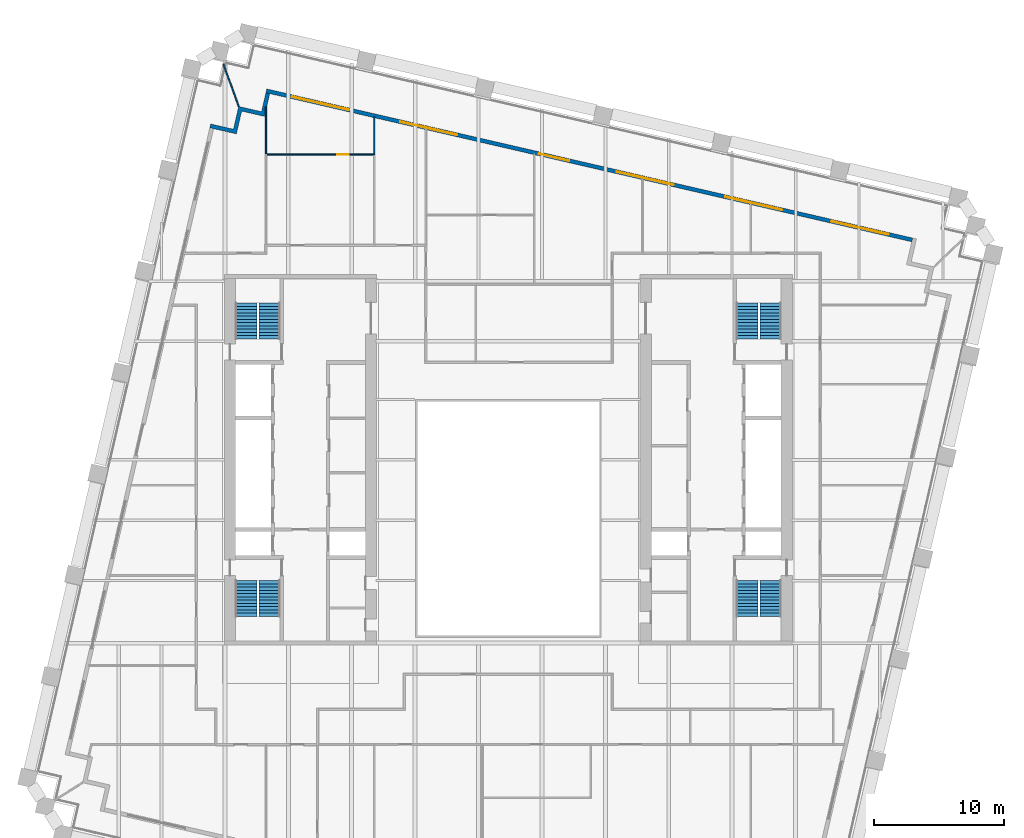
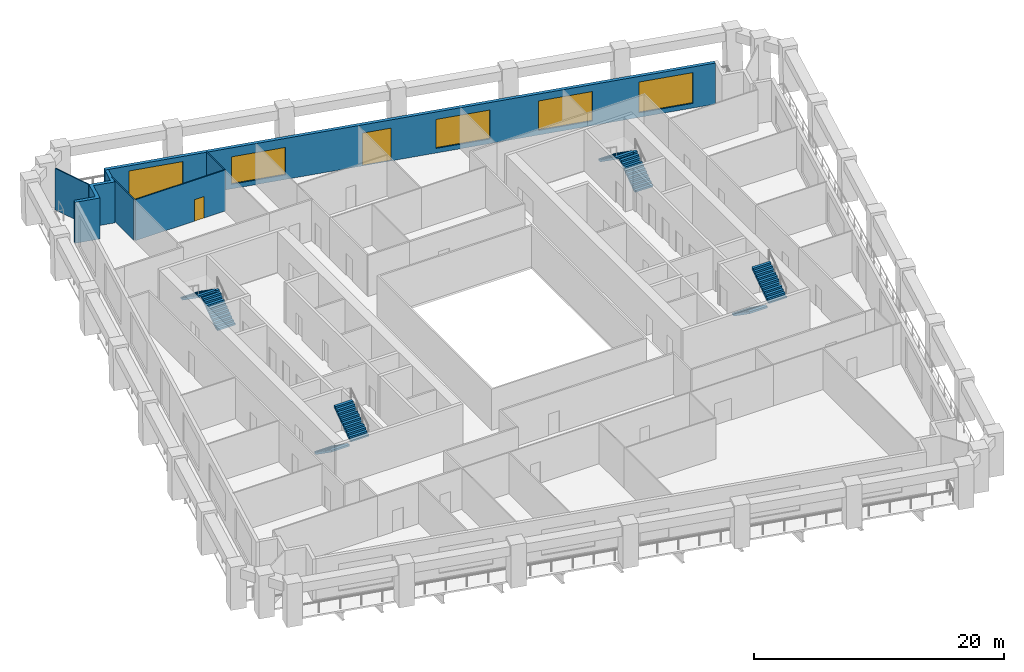
# One storey, part 8 of 10: 8 stair flights, 6 walls, 5 windows, 2 doors, 7 openings, 4 elements without a shape of their own.
"""IFC4 building model written with IfcOpenShell, lengths in metres."""

from ifc_helpers import new_model, si_unit, direction, frame, frame_2d, origin, place, context, subcontext, project, spatial, polyline, rectangle, outline, extrude, material, layer, layer_set, type_object, element, fill, aggregate, save


model = new_model("IFC4")

# Units and contexts
model_context = context("Model", 3, precision=1e-05, world=origin(), true_north=direction((0.0, 1.0)))
body_context = subcontext(model_context, "Body", "Model", "MODEL_VIEW")
ifc_project = project(units=[si_unit("LENGTHUNIT", "METRE"), si_unit("AREAUNIT", "SQUARE_METRE"), si_unit("VOLUMEUNIT", "CUBIC_METRE"), si_unit("PLANEANGLEUNIT", "RADIAN"), si_unit("MASSUNIT", "GRAM", prefix="KILO")], contexts=[model_context])

# Site, building, storey
site_placement = place(None, origin())
site = spatial("IfcSite", under=ifc_project, at=site_placement, CompositionType="ELEMENT")
building_placement = place(site_placement, origin())
building = spatial("IfcBuilding", under=site, at=building_placement, Name="Ogive Exchange Tower", CompositionType="ELEMENT")
storey_placement = place(building_placement, frame((0.0, 0.0, 114.0)))
storey = spatial("IfcBuildingStorey", under=building, at=storey_placement, Name="L24", CompositionType="ELEMENT", Elevation=114.0)

# Wall, openings, door, windows
ifc_material_1 = material(Name="Precast concrete C40/50", Category="concrete")
ifc_layer_1 = layer(ifc_material_1, 0.300048828125)
ifc_layer_set_1 = layer_set([ifc_layer_1], Name="Limestone-faced wall 300")
wall_type_1 = type_object("IfcWallType", Name="Limestone-faced wall 300", PredefinedType="STANDARD", material=ifc_layer_set_1)
wall_1_placement = place(storey_placement, frame((31.07763671875, 28.4208984375, 0.0), z_axis=(0.0, 0.0, 1.0), x_axis=(-0.974370456532, 0.224949357493, 0.0)))
wall_1 = element("IfcWall", 1, at=wall_1_placement, inside=storey, type_object=wall_type_1, Name="External wall N3", PredefinedType="STANDARD", context=body_context, shape_type="SweptSolid", body=[
    extrude(rectangle(XDim=51.0, YDim=0.300048828125, at=frame_2d((25.5, 0.0))), origin(), (0.0, 0.0, 1.0), 4.0),
])
opening_1_placement = place(wall_1_placement, frame((1.875, 0.0, 0.449951171875)))
opening_1 = element("IfcOpeningElement", 2, at=opening_1_placement, cuts=wall_1, Name="Opening W1A", PredefinedType="OPENING", context=body_context, shape_type="SweptSolid", body=[
    extrude(rectangle(XDim=4.5, YDim=3.0, at=frame_2d((2.25, 1.5))), frame((0.0, 0.159912109375, 0.0), z_axis=(0.0, -1.0, 0.0), x_axis=(1.0, 0.0, 0.0)), (0.0, 0.0, 1.0), 0.320068359375),
])
opening_2_placement = place(wall_1_placement, frame((10.27490234375, 0.0, 0.449951171875)))
opening_2 = element("IfcOpeningElement", 3, at=opening_2_placement, cuts=wall_1, Name="Opening W1D", PredefinedType="OPENING", context=body_context, shape_type="SweptSolid", body=[
    extrude(rectangle(XDim=4.5, YDim=2.875, at=frame_2d((2.25, 1.4375))), frame((0.0, 0.159912109375, 0.0), z_axis=(0.0, -1.0, 0.0), x_axis=(1.0, 0.0, 0.0)), (0.0, 0.0, 1.0), 0.320068359375),
])
opening_3_placement = place(wall_1_placement, frame((18.824951171875, 0.0, 0.449951171875)))
opening_3 = element("IfcOpeningElement", 4, at=opening_3_placement, cuts=wall_1, Name="Opening W1E", PredefinedType="OPENING", context=body_context, shape_type="SweptSolid", body=[
    extrude(rectangle(XDim=4.5, YDim=2.824951171875, at=frame_2d((2.25, 1.41259765625))), frame((0.0, 0.159912109375, 0.0), z_axis=(0.0, -1.0, 0.0), x_axis=(1.0, 0.0, 0.0)), (0.0, 0.0, 1.0), 0.320068359375),
])
opening_4_placement = place(wall_1_placement, frame((27.074951171875, 0.0, 0.0)))
opening_4 = element("IfcOpeningElement", 5, at=opening_4_placement, cuts=wall_1, Name="Opening D1H", PredefinedType="OPENING", context=body_context, shape_type="SweptSolid", body=[
    extrude(rectangle(XDim=2.39990234375, YDim=3.199951171875, at=frame_2d((1.199951171875, 1.60009765625))), frame((0.0, 0.159912109375, 0.0), z_axis=(0.0, -1.0, 0.0), x_axis=(1.0, 0.0, 0.0)), (0.0, 0.0, 1.0), 0.320068359375),
])
opening_5_placement = place(wall_1_placement, frame((35.925048828125, 0.0, 0.449951171875)))
opening_5 = element("IfcOpeningElement", 6, at=opening_5_placement, cuts=wall_1, Name="Opening W1J", PredefinedType="OPENING", context=body_context, shape_type="SweptSolid", body=[
    extrude(rectangle(XDim=4.5, YDim=2.675048828125, at=frame_2d((2.25, 1.33740234375))), frame((0.0, 0.159912109375, 0.0), z_axis=(0.0, -1.0, 0.0), x_axis=(1.0, 0.0, 0.0)), (0.0, 0.0, 1.0), 0.320068359375),
])
opening_6_placement = place(wall_1_placement, frame((44.47509765625, 0.0, 0.449951171875)))
opening_6 = element("IfcOpeningElement", 7, at=opening_6_placement, cuts=wall_1, Name="Opening W1", PredefinedType="OPENING", context=body_context, shape_type="SweptSolid", body=[
    extrude(rectangle(XDim=4.5, YDim=3.050048828125, at=frame_2d((2.25, 1.52490234375))), frame((0.0, 0.159912109375, 0.0), z_axis=(0.0, -1.0, 0.0), x_axis=(1.0, 0.0, 0.0)), (0.0, 0.0, 1.0), 0.320068359375),
])
ifc_material_2 = material(Name="Clear glass in bronze frame", Category="glass")
door_type_1 = type_object("IfcDoorType", Name="Sliding loggia door 2400 x 3200", OperationType="DOUBLE_DOOR_SLIDING", PredefinedType="DOOR", material=ifc_material_2)
door_1_placement = place(opening_4_placement, origin())
door_1 = element("IfcDoor", 8, at=door_1_placement, inside=storey, type_object=door_type_1, Name="Loggia door N03", OperationType="DOUBLE_DOOR_SLIDING", OverallHeight=3.199951171875, OverallWidth=2.39990234375, PredefinedType="DOOR", context=body_context, shape_type="SweptSolid", body=[
    extrude(rectangle(XDim=2.39990234375, YDim=3.199951171875, at=frame_2d((1.199951171875, 1.60009765625))), frame((0.0, 0.02490234375, 0.0), z_axis=(0.0, -1.0, 0.0), x_axis=(1.0, 0.0, 0.0)), (0.0, 0.0, 1.0), 0.050048828125),
])
fill(opening_4, door_1)
window_type_1 = type_object("IfcWindowType", Name="Twin lancet window 4500 x 2675", PartitioningType="DOUBLE_PANEL_VERTICAL", PredefinedType="WINDOW", material=ifc_material_2)
window_1_placement = place(opening_5_placement, origin())
window_1 = element("IfcWindow", 9, at=window_1_placement, inside=storey, type_object=window_type_1, Name="Window N04", OverallHeight=2.675048828125, OverallWidth=4.5, PartitioningType="DOUBLE_PANEL_VERTICAL", PredefinedType="WINDOW", context=body_context, shape_type="SweptSolid", body=[
    extrude(rectangle(XDim=4.5, YDim=2.675048828125, at=frame_2d((2.25, 1.33740234375))), frame((0.0, 0.030029296875, 0.0), z_axis=(0.0, -1.0, 0.0), x_axis=(1.0, 0.0, 0.0)), (0.0, 0.0, 1.0), 0.06005859375),
])
fill(opening_5, window_1)
window_type_2 = type_object("IfcWindowType", Name="Twin lancet window 4500 x 2825", PartitioningType="DOUBLE_PANEL_VERTICAL", PredefinedType="WINDOW", material=ifc_material_2)
window_2_placement = place(opening_3_placement, origin())
window_2 = element("IfcWindow", 10, at=window_2_placement, inside=storey, type_object=window_type_2, Name="Window N02", OverallHeight=2.824951171875, OverallWidth=4.5, PartitioningType="DOUBLE_PANEL_VERTICAL", PredefinedType="WINDOW", context=body_context, shape_type="SweptSolid", body=[
    extrude(rectangle(XDim=4.5, YDim=2.824951171875, at=frame_2d((2.25, 1.41259765625))), frame((0.0, 0.030029296875, 0.0), z_axis=(0.0, -1.0, 0.0), x_axis=(1.0, 0.0, 0.0)), (0.0, 0.0, 1.0), 0.06005859375),
])
fill(opening_3, window_2)
window_type_3 = type_object("IfcWindowType", Name="Twin lancet window 4500 x 2875", PartitioningType="DOUBLE_PANEL_VERTICAL", PredefinedType="WINDOW", material=ifc_material_2)
window_3_placement = place(opening_2_placement, origin())
window_3 = element("IfcWindow", 11, at=window_3_placement, inside=storey, type_object=window_type_3, Name="Window N01", OverallHeight=2.875, OverallWidth=4.5, PartitioningType="DOUBLE_PANEL_VERTICAL", PredefinedType="WINDOW", context=body_context, shape_type="SweptSolid", body=[
    extrude(rectangle(XDim=4.5, YDim=2.875, at=frame_2d((2.25, 1.4375))), frame((0.0, 0.030029296875, 0.0), z_axis=(0.0, -1.0, 0.0), x_axis=(1.0, 0.0, 0.0)), (0.0, 0.0, 1.0), 0.06005859375),
])
fill(opening_2, window_3)
window_type_4 = type_object("IfcWindowType", Name="Twin lancet window 4500 x 3000", PartitioningType="DOUBLE_PANEL_VERTICAL", PredefinedType="WINDOW", material=ifc_material_2)
window_4_placement = place(opening_1_placement, origin())
window_4 = element("IfcWindow", 12, at=window_4_placement, inside=storey, type_object=window_type_4, Name="Window N00", OverallHeight=3.0, OverallWidth=4.5, PartitioningType="DOUBLE_PANEL_VERTICAL", PredefinedType="WINDOW", context=body_context, shape_type="SweptSolid", body=[
    extrude(rectangle(XDim=4.5, YDim=3.0, at=frame_2d((2.25, 1.5))), frame((0.0, 0.030029296875, 0.0), z_axis=(0.0, -1.0, 0.0), x_axis=(1.0, 0.0, 0.0)), (0.0, 0.0, 1.0), 0.06005859375),
])
fill(opening_1, window_4)
window_type_5 = type_object("IfcWindowType", Name="Twin lancet window 4500 x 3050", PartitioningType="DOUBLE_PANEL_VERTICAL", PredefinedType="WINDOW", material=ifc_material_2)
window_5_placement = place(opening_6_placement, origin())
window_5 = element("IfcWindow", 13, at=window_5_placement, inside=storey, type_object=window_type_5, Name="Window N05", OverallHeight=3.050048828125, OverallWidth=4.5, PartitioningType="DOUBLE_PANEL_VERTICAL", PredefinedType="WINDOW", context=body_context, shape_type="SweptSolid", body=[
    extrude(rectangle(XDim=4.5, YDim=3.050048828125, at=frame_2d((2.25, 1.52490234375))), frame((0.0, 0.030029296875, 0.0), z_axis=(0.0, -1.0, 0.0), x_axis=(1.0, 0.0, 0.0)), (0.0, 0.0, 1.0), 0.06005859375),
])
fill(opening_6, window_5)

# Walls
wall_2_placement = place(storey_placement, origin())
element("IfcWall", 14, at=wall_2_placement, inside=storey, type_object=wall_type_1, Name="External corner wall C3", PredefinedType="STANDARD", context=body_context, shape_type="SweptSolid", body=[
    extrude(outline(polyline([(-22.966552734375, 37.04931640625), (-22.89892578125, 37.341552734375), (-21.145263671875, 36.936767578125), (-20.740234375, 38.690673828125), (-18.986328125, 38.28564453125), (-18.64892578125, 39.747314453125), (-18.356689453125, 39.6796875), (-18.76171875, 37.92578125), (-20.515380859375, 38.330810546875), (-20.92041015625, 36.576904296875), (-22.966552734375, 37.04931640625)])), origin(), (0.0, 0.0, 1.0), 4.0),
])
ifc_material_3 = material(Name="Laminated safety glass in steel frame", Category="steel")
ifc_layer_2 = layer(ifc_material_3, 0.10009765625)
ifc_layer_set_2 = layer_set([ifc_layer_2], Name="Loggia end screen 100")
wall_type_2 = type_object("IfcWallType", Name="Loggia end screen 100", PredefinedType="STANDARD", material=ifc_layer_set_2)
wall_3_placement = place(storey_placement, frame((-20.740234375, 38.690673828125, -0.050048828125), z_axis=(0.0, 0.0, 1.0), x_axis=(-0.340463549829, 0.94025771533, 0.0)))
element("IfcWall", 15, at=wall_3_placement, inside=storey, type_object=wall_type_2, Name="Loggia end screen C3", PredefinedType="STANDARD", context=body_context, shape_type="SweptSolid", body=[
    extrude(rectangle(XDim=3.478515625, YDim=0.10009765625, at=frame_2d((1.7392578125, 0.0))), origin(), (0.0, 0.0, 1.0), 4.050048828125),
])
ifc_material_4 = material(Name="Partition 100 gypsum")
ifc_layer_3 = layer(ifc_material_4, 0.10009765625)
ifc_layer_set_3 = layer_set([ifc_layer_3], Name="Partition 100 gypsum")
wall_type_3 = type_object("IfcWallType", Name="Partition 100 gypsum", PredefinedType="PARTITIONING", material=ifc_layer_set_3)
wall_4_placement = place(storey_placement, frame((-18.64990234375, 35.050048828125, 0.0), z_axis=(0.0, 0.0, 1.0), x_axis=(0.0, 1.0, 0.0)))
element("IfcWall", 16, at=wall_4_placement, inside=storey, type_object=wall_type_3, Name="L24-PWL-020", PredefinedType="PARTITIONING", context=body_context, shape_type="SweptSolid", body=[
    extrude(rectangle(XDim=3.60400390625, YDim=0.10009765625, at=frame_2d((1.802001953125, 0.0))), origin(), (0.0, 0.0, 1.0), 4.0),
])

# Wall, opening, door
wall_5_placement = place(storey_placement, frame((-18.60009765625, 35.0, 0.0), z_axis=(0.0, 0.0, 1.0), x_axis=(1.0, 0.0, 0.0)))
wall_5 = element("IfcWall", 17, at=wall_5_placement, inside=storey, type_object=wall_type_3, Name="L24-PWL-021", PredefinedType="PARTITIONING", context=body_context, shape_type="SweptSolid", body=[
    extrude(rectangle(XDim=8.330078125, YDim=0.10009765625, at=frame_2d((4.1650390625, 0.0))), origin(), (0.0, 0.0, 1.0), 4.0),
])
opening_7_placement = place(wall_5_placement, frame((5.429931640625, 0.0, 0.0)))
opening_7 = element("IfcOpeningElement", 18, at=opening_7_placement, cuts=wall_5, Name="Opening L24-I13", PredefinedType="OPENING", context=body_context, shape_type="SweptSolid", body=[
    extrude(rectangle(XDim=0.89990234375, YDim=2.10009765625, at=frame_2d((0.449951171875, 1.050048828125))), frame((0.0, 0.06005859375, 0.0), z_axis=(0.0, -1.0, 0.0), x_axis=(1.0, 0.0, 0.0)), (0.0, 0.0, 1.0), 0.1201171875),
])
ifc_material_5 = material(Name="Door 900 x 2100")
door_type_2 = type_object("IfcDoorType", Name="Door 900 x 2100", OperationType="NOTDEFINED", PredefinedType="DOOR", material=ifc_material_5)
door_2_placement = place(opening_7_placement, origin())
door_2 = element("IfcDoor", 19, at=door_2_placement, inside=storey, type_object=door_type_2, Name="L24-IDR-013", ObjectType="DT1", OperationType="SINGLE_SWING_LEFT", OverallHeight=2.10009765625, OverallWidth=0.89990234375, PredefinedType="DOOR", context=body_context, shape_type="SweptSolid", body=[
    extrude(rectangle(XDim=0.89990234375, YDim=2.10009765625, at=frame_2d((0.449951171875, 1.050048828125))), frame((0.0, 0.02490234375, 0.0), z_axis=(0.0, -1.0, 0.0), x_axis=(1.0, 0.0, 0.0)), (0.0, 0.0, 1.0), 0.050048828125),
])
fill(opening_7, door_2)

# Wall
wall_6_placement = place(storey_placement, frame((-10.320068359375, 35.050048828125, 0.0), z_axis=(0.0, 0.0, 1.0), x_axis=(0.0, 1.0, 0.0)))
element("IfcWall", 20, at=wall_6_placement, inside=storey, type_object=wall_type_3, Name="L24-PWL-029", PredefinedType="PARTITIONING", context=body_context, shape_type="SweptSolid", body=[
    extrude(rectangle(XDim=2.85693359375, YDim=0.10009765625, at=frame_2d((1.428466796875, 0.0))), origin(), (0.0, 0.0, 1.0), 4.0),
])

# Stair, stair flights
ifc_material_6 = material(Name="Concrete C40/50", Category="concrete")
stair_type = type_object("IfcStairType", Name="Exit stair 1650 wide", PredefinedType="HALF_TURN_STAIR", material=ifc_material_6)
stair_1_placement = place(storey_placement, origin())
stair_1 = element("IfcStair", 21, at=stair_1_placement, inside=storey, type_object=stair_type, Name="L24 exit stair ST1", PredefinedType="HALF_TURN_STAIR")
stair_flight_type = type_object("IfcStairFlightType", Name="Stair flight 1650 wide", PredefinedType="STRAIGHT", material=ifc_material_6)
stair_flight_1_placement = place(storey_placement, frame((-20.175048828125, 2.199951171875, 0.0), z_axis=(0.0, 0.0, 1.0), x_axis=(0.0, -1.0, 0.0)))
stair_flight_1 = element("IfcStairFlight", 22, at=stair_flight_1_placement, type_object=stair_flight_type, Name="ST1 flight 1", NumberOfRisers=12, NumberOfTreads=11, PredefinedType="STRAIGHT", RiserHeight=0.175, TreadLength=0.25, context=body_context, shape_type="SweptSolid", body=[
    extrude(outline(polyline([(0.0, 0.0), (0.0, 0.175048828125), (0.25, 0.175048828125), (0.25, 0.35009765625), (0.5, 0.35009765625), (0.5, 0.52490234375), (0.75, 0.52490234375), (0.75, 0.699951171875), (1.0, 0.699951171875), (1.0, 0.875), (1.25, 0.875), (1.25, 1.050048828125), (1.5, 1.050048828125), (1.5, 1.22509765625), (1.75, 1.22509765625), (1.75, 1.39990234375), (2.0, 1.39990234375), (2.0, 1.574951171875), (2.25, 1.574951171875), (2.25, 1.75), (2.5, 1.75), (2.5, 1.925048828125), (2.75, 1.925048828125), (2.75, 2.10009765625), (2.75, 1.741943359375), (0.261474609375, 0.0), (0.0, 0.0)])), frame((0.0, 0.824951171875, 0.0), z_axis=(0.0, -1.0, 0.0), x_axis=(1.0, 0.0, 0.0)), (0.0, 0.0, 1.0), 1.64990234375),
])
stair_flight_2_placement = place(storey_placement, frame((-18.375, -0.550048828125, 2.10009765625), z_axis=(0.0, 0.0, 1.0), x_axis=(0.0, 1.0, 0.0)))
stair_flight_2 = element("IfcStairFlight", 23, at=stair_flight_2_placement, type_object=stair_flight_type, Name="ST1 flight 2", NumberOfRisers=12, NumberOfTreads=11, PredefinedType="STRAIGHT", RiserHeight=0.175, TreadLength=0.25, context=body_context, shape_type="SweptSolid", body=[
    extrude(outline(polyline([(0.0, 0.0), (0.0, 0.175048828125), (0.25, 0.175048828125), (0.25, 0.35009765625), (0.5, 0.35009765625), (0.5, 0.52490234375), (0.75, 0.52490234375), (0.75, 0.699951171875), (1.0, 0.699951171875), (1.0, 0.875), (1.25, 0.875), (1.25, 1.050048828125), (1.5, 1.050048828125), (1.5, 1.22509765625), (1.75, 1.22509765625), (1.75, 1.39990234375), (2.0, 1.39990234375), (2.0, 1.574951171875), (2.25, 1.574951171875), (2.25, 1.75), (2.5, 1.75), (2.5, 1.925048828125), (2.75, 1.925048828125), (2.75, 2.10009765625), (2.75, 1.741943359375), (0.261474609375, 0.0), (0.0, 0.0)])), frame((0.0, 0.824951171875, 0.0), z_axis=(0.0, -1.0, 0.0), x_axis=(1.0, 0.0, 0.0)), (0.0, 0.0, 1.0), 1.64990234375),
])
aggregate(stair_1, [stair_flight_1, stair_flight_2])

stair_2_placement = place(storey_placement, origin())
stair_2 = element("IfcStair", 24, at=stair_2_placement, inside=storey, type_object=stair_type, Name="L24 exit stair ST2", PredefinedType="HALF_TURN_STAIR")
stair_flight_3_placement = place(storey_placement, frame((-18.375, 20.800048828125, 0.0), z_axis=(0.0, 0.0, 1.0), x_axis=(0.0, 1.0, 0.0)))
stair_flight_3 = element("IfcStairFlight", 25, at=stair_flight_3_placement, type_object=stair_flight_type, Name="ST2 flight 1", NumberOfRisers=12, NumberOfTreads=11, PredefinedType="STRAIGHT", RiserHeight=0.175, TreadLength=0.25, context=body_context, shape_type="SweptSolid", body=[
    extrude(outline(polyline([(0.0, 0.0), (0.0, 0.175048828125), (0.25, 0.175048828125), (0.25, 0.35009765625), (0.5, 0.35009765625), (0.5, 0.52490234375), (0.75, 0.52490234375), (0.75, 0.699951171875), (1.0, 0.699951171875), (1.0, 0.875), (1.25, 0.875), (1.25, 1.050048828125), (1.5, 1.050048828125), (1.5, 1.22509765625), (1.75, 1.22509765625), (1.75, 1.39990234375), (2.0, 1.39990234375), (2.0, 1.574951171875), (2.25, 1.574951171875), (2.25, 1.75), (2.5, 1.75), (2.5, 1.925048828125), (2.75, 1.925048828125), (2.75, 2.10009765625), (2.75, 1.741943359375), (0.261474609375, 0.0), (0.0, 0.0)])), frame((0.0, 0.824951171875, 0.0), z_axis=(0.0, -1.0, 0.0), x_axis=(1.0, 0.0, 0.0)), (0.0, 0.0, 1.0), 1.64990234375),
])
stair_flight_4_placement = place(storey_placement, frame((-20.175048828125, 23.550048828125, 2.10009765625), z_axis=(0.0, 0.0, 1.0), x_axis=(0.0, -1.0, 0.0)))
stair_flight_4 = element("IfcStairFlight", 26, at=stair_flight_4_placement, type_object=stair_flight_type, Name="ST2 flight 2", NumberOfRisers=12, NumberOfTreads=11, PredefinedType="STRAIGHT", RiserHeight=0.175, TreadLength=0.25, context=body_context, shape_type="SweptSolid", body=[
    extrude(outline(polyline([(0.0, 0.0), (0.0, 0.175048828125), (0.25, 0.175048828125), (0.25, 0.35009765625), (0.5, 0.35009765625), (0.5, 0.52490234375), (0.75, 0.52490234375), (0.75, 0.699951171875), (1.0, 0.699951171875), (1.0, 0.875), (1.25, 0.875), (1.25, 1.050048828125), (1.5, 1.050048828125), (1.5, 1.22509765625), (1.75, 1.22509765625), (1.75, 1.39990234375), (2.0, 1.39990234375), (2.0, 1.574951171875), (2.25, 1.574951171875), (2.25, 1.75), (2.5, 1.75), (2.5, 1.925048828125), (2.75, 1.925048828125), (2.75, 2.10009765625), (2.75, 1.741943359375), (0.261474609375, 0.0), (0.0, 0.0)])), frame((0.0, 0.824951171875, 0.0), z_axis=(0.0, -1.0, 0.0), x_axis=(1.0, 0.0, 0.0)), (0.0, 0.0, 1.0), 1.64990234375),
])
aggregate(stair_2, [stair_flight_3, stair_flight_4])

stair_3_placement = place(storey_placement, origin())
stair_3 = element("IfcStair", 27, at=stair_3_placement, inside=storey, type_object=stair_type, Name="L24 exit stair ST3", PredefinedType="HALF_TURN_STAIR")
stair_flight_5_placement = place(storey_placement, frame((18.375, 2.199951171875, 0.0), z_axis=(0.0, 0.0, 1.0), x_axis=(0.0, -1.0, 0.0)))
stair_flight_5 = element("IfcStairFlight", 28, at=stair_flight_5_placement, type_object=stair_flight_type, Name="ST3 flight 1", NumberOfRisers=12, NumberOfTreads=11, PredefinedType="STRAIGHT", RiserHeight=0.175, TreadLength=0.25, context=body_context, shape_type="SweptSolid", body=[
    extrude(outline(polyline([(0.0, 0.0), (0.0, 0.175048828125), (0.25, 0.175048828125), (0.25, 0.35009765625), (0.5, 0.35009765625), (0.5, 0.52490234375), (0.75, 0.52490234375), (0.75, 0.699951171875), (1.0, 0.699951171875), (1.0, 0.875), (1.25, 0.875), (1.25, 1.050048828125), (1.5, 1.050048828125), (1.5, 1.22509765625), (1.75, 1.22509765625), (1.75, 1.39990234375), (2.0, 1.39990234375), (2.0, 1.574951171875), (2.25, 1.574951171875), (2.25, 1.75), (2.5, 1.75), (2.5, 1.925048828125), (2.75, 1.925048828125), (2.75, 2.10009765625), (2.75, 1.741943359375), (0.261474609375, 0.0), (0.0, 0.0)])), frame((0.0, 0.824951171875, 0.0), z_axis=(0.0, -1.0, 0.0), x_axis=(1.0, 0.0, 0.0)), (0.0, 0.0, 1.0), 1.64990234375),
])
stair_flight_6_placement = place(storey_placement, frame((20.175048828125, -0.550048828125, 2.10009765625), z_axis=(0.0, 0.0, 1.0), x_axis=(0.0, 1.0, 0.0)))
stair_flight_6 = element("IfcStairFlight", 29, at=stair_flight_6_placement, type_object=stair_flight_type, Name="ST3 flight 2", NumberOfRisers=12, NumberOfTreads=11, PredefinedType="STRAIGHT", RiserHeight=0.175, TreadLength=0.25, context=body_context, shape_type="SweptSolid", body=[
    extrude(outline(polyline([(0.0, 0.0), (0.0, 0.175048828125), (0.25, 0.175048828125), (0.25, 0.35009765625), (0.5, 0.35009765625), (0.5, 0.52490234375), (0.75, 0.52490234375), (0.75, 0.699951171875), (1.0, 0.699951171875), (1.0, 0.875), (1.25, 0.875), (1.25, 1.050048828125), (1.5, 1.050048828125), (1.5, 1.22509765625), (1.75, 1.22509765625), (1.75, 1.39990234375), (2.0, 1.39990234375), (2.0, 1.574951171875), (2.25, 1.574951171875), (2.25, 1.75), (2.5, 1.75), (2.5, 1.925048828125), (2.75, 1.925048828125), (2.75, 2.10009765625), (2.75, 1.741943359375), (0.261474609375, 0.0), (0.0, 0.0)])), frame((0.0, 0.824951171875, 0.0), z_axis=(0.0, -1.0, 0.0), x_axis=(1.0, 0.0, 0.0)), (0.0, 0.0, 1.0), 1.64990234375),
])
aggregate(stair_3, [stair_flight_5, stair_flight_6])

stair_4_placement = place(storey_placement, origin())
stair_4 = element("IfcStair", 30, at=stair_4_placement, inside=storey, type_object=stair_type, Name="L24 exit stair ST4", PredefinedType="HALF_TURN_STAIR")
stair_flight_7_placement = place(storey_placement, frame((20.175048828125, 20.800048828125, 0.0), z_axis=(0.0, 0.0, 1.0), x_axis=(0.0, 1.0, 0.0)))
stair_flight_7 = element("IfcStairFlight", 31, at=stair_flight_7_placement, type_object=stair_flight_type, Name="ST4 flight 1", NumberOfRisers=12, NumberOfTreads=11, PredefinedType="STRAIGHT", RiserHeight=0.175, TreadLength=0.25, context=body_context, shape_type="SweptSolid", body=[
    extrude(outline(polyline([(0.0, 0.0), (0.0, 0.175048828125), (0.25, 0.175048828125), (0.25, 0.35009765625), (0.5, 0.35009765625), (0.5, 0.52490234375), (0.75, 0.52490234375), (0.75, 0.699951171875), (1.0, 0.699951171875), (1.0, 0.875), (1.25, 0.875), (1.25, 1.050048828125), (1.5, 1.050048828125), (1.5, 1.22509765625), (1.75, 1.22509765625), (1.75, 1.39990234375), (2.0, 1.39990234375), (2.0, 1.574951171875), (2.25, 1.574951171875), (2.25, 1.75), (2.5, 1.75), (2.5, 1.925048828125), (2.75, 1.925048828125), (2.75, 2.10009765625), (2.75, 1.741943359375), (0.261474609375, 0.0), (0.0, 0.0)])), frame((0.0, 0.824951171875, 0.0), z_axis=(0.0, -1.0, 0.0), x_axis=(1.0, 0.0, 0.0)), (0.0, 0.0, 1.0), 1.64990234375),
])
stair_flight_8_placement = place(storey_placement, frame((18.375, 23.550048828125, 2.10009765625), z_axis=(0.0, 0.0, 1.0), x_axis=(0.0, -1.0, 0.0)))
stair_flight_8 = element("IfcStairFlight", 32, at=stair_flight_8_placement, type_object=stair_flight_type, Name="ST4 flight 2", NumberOfRisers=12, NumberOfTreads=11, PredefinedType="STRAIGHT", RiserHeight=0.175, TreadLength=0.25, context=body_context, shape_type="SweptSolid", body=[
    extrude(outline(polyline([(0.0, 0.0), (0.0, 0.175048828125), (0.25, 0.175048828125), (0.25, 0.35009765625), (0.5, 0.35009765625), (0.5, 0.52490234375), (0.75, 0.52490234375), (0.75, 0.699951171875), (1.0, 0.699951171875), (1.0, 0.875), (1.25, 0.875), (1.25, 1.050048828125), (1.5, 1.050048828125), (1.5, 1.22509765625), (1.75, 1.22509765625), (1.75, 1.39990234375), (2.0, 1.39990234375), (2.0, 1.574951171875), (2.25, 1.574951171875), (2.25, 1.75), (2.5, 1.75), (2.5, 1.925048828125), (2.75, 1.925048828125), (2.75, 2.10009765625), (2.75, 1.741943359375), (0.261474609375, 0.0), (0.0, 0.0)])), frame((0.0, 0.824951171875, 0.0), z_axis=(0.0, -1.0, 0.0), x_axis=(1.0, 0.0, 0.0)), (0.0, 0.0, 1.0), 1.64990234375),
])
aggregate(stair_4, [stair_flight_7, stair_flight_8])

save(model, "model.ifc")
